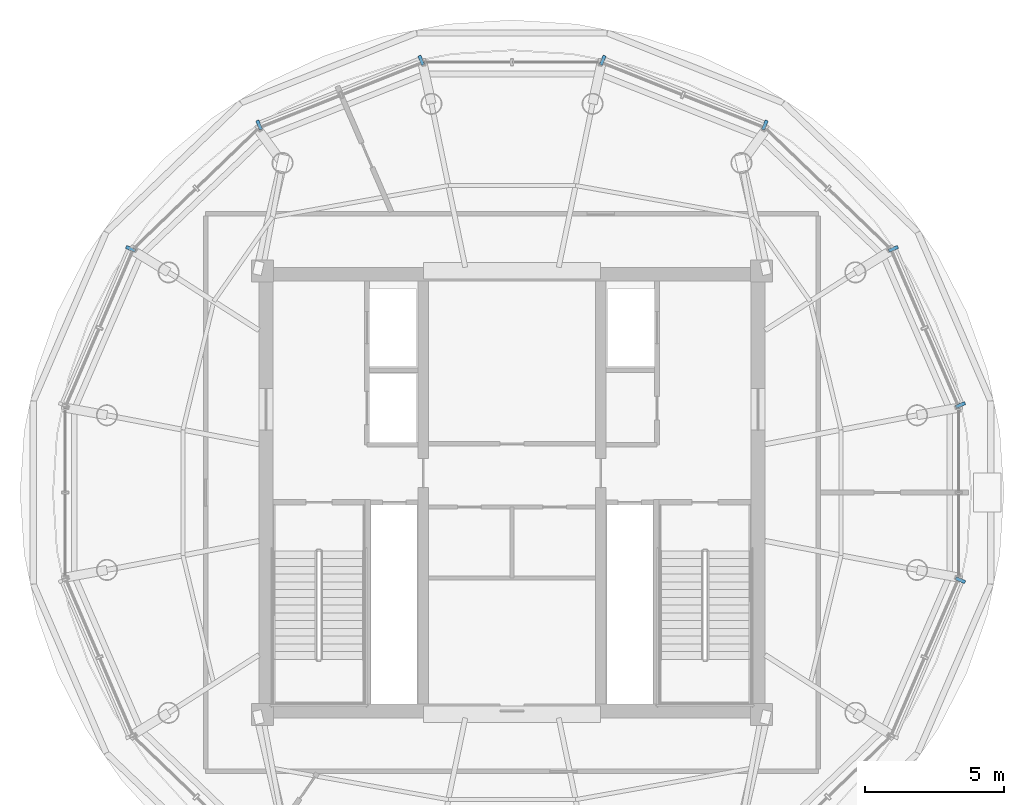
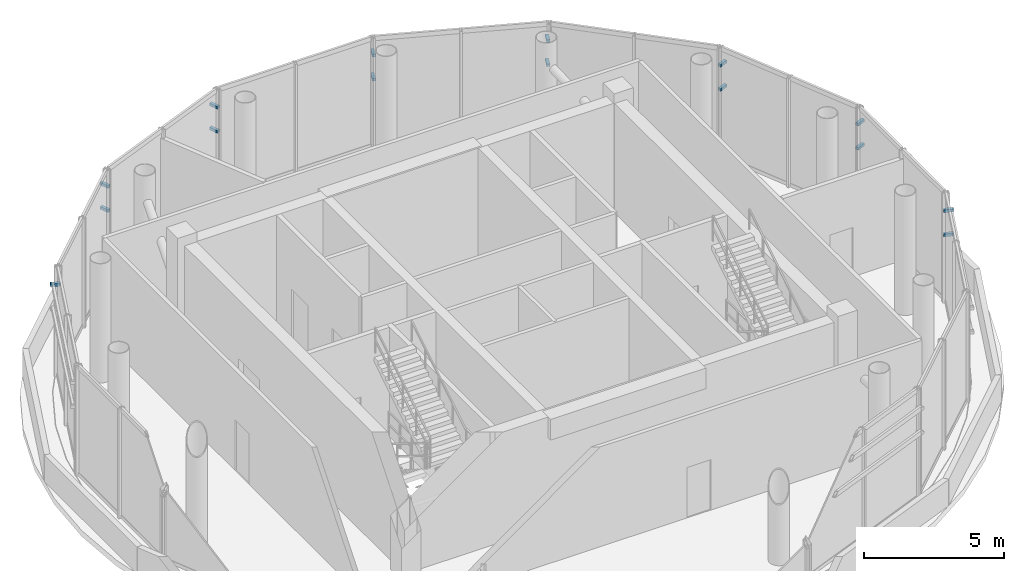
# One storey, part 12 of 14: 15 discrete accessories.
"""IFC4 building model written with IfcOpenShell, lengths in metres."""

from ifc_helpers import new_model, si_unit, direction, frame, origin, origin_2d, place, context, subcontext, project, spatial, rectangle, extrude, source, transform, mapped, material, layer, layer_set, type_object, element, save


model = new_model("IFC4")

# Units and contexts
model_context = context("Model", 3, precision=1e-05, world=origin(), true_north=direction((-0.2419218956, 0.970295726276)))
body_context = subcontext(model_context, "Body", "Model", "MODEL_VIEW")
ifc_project = project(units=[si_unit("LENGTHUNIT", "METRE"), si_unit("AREAUNIT", "SQUARE_METRE"), si_unit("VOLUMEUNIT", "CUBIC_METRE"), si_unit("PLANEANGLEUNIT", "RADIAN"), si_unit("MASSUNIT", "GRAM", prefix="KILO")], contexts=[model_context])

# Site, building, storey
site_placement = place(None, origin())
site = spatial("IfcSite", under=ifc_project, at=site_placement, CompositionType="ELEMENT")
building_placement = place(site_placement, origin())
building = spatial("IfcBuilding", under=site, at=building_placement, Name="Cobrevalo Terracotta Tower", CompositionType="ELEMENT")
storey_placement = place(building_placement, frame((0.0, 0.0, 321.699951171875)))
storey = spatial("IfcBuildingStorey", under=building, at=storey_placement, Name="L83", CompositionType="ELEMENT", Elevation=321.699951171875)

# Discrete accessories
ifc_material = material(Name="Brushed stainless steel", Category="steel")
ifc_layer = layer(ifc_material, 0.1201171875)
ifc_layer_set = layer_set([ifc_layer], Name="Brushed stainless steel")
discrete_accessory_type = type_object("IfcDiscreteAccessoryType", Name="Stainless Steel Facade & Canopy Support Bracket", PredefinedType="BRACKET", material=ifc_layer_set)
shared_shape = source(origin(), body_context, "Body", "SweptSolid", [
    extrude(rectangle(XDim=0.1201171875, YDim=0.360107421875, at=origin_2d()), origin(), (0.0, 0.0, 1.0), 0.1201171875),
])
for number, where, z_axis, x_axis, name in (
    (1, (54.18115234375, 29.960693359375, 2.903564453125), (0.0, 0.0, 1.0), (-0.394960330504, 0.918698175316, 0.0), "CW-CRN-L83-S01 stainless baguette support bracket 1-A"),
    (2, (51.759521484375, 35.593505859375, 2.903564453125), (0.0, 0.0, 1.0), (-0.394960330504, 0.918698175316, 0.0), "CW-CRN-L83-S01 stainless baguette support bracket 1-B"),
    (3, (54.18115234375, 29.960693359375, 3.955078125), (0.0, 0.0, 1.0), (-0.394960330504, 0.918698175316, 0.0), "CW-CRN-L83-S01 stainless baguette support bracket 2-A"),
    (4, (51.759521484375, 35.593505859375, 3.955078125), (0.0, 0.0, 1.0), (-0.394960330504, 0.918698175316, 0.0), "CW-CRN-L83-S01 stainless baguette support bracket 2-B"),
    (5, (47.124267578125, 40.060546875, 2.903564453125), (0.0, 0.0, 1.0), (-0.928768802339, 0.370659563214, 0.0), "CW-CRN-L83-S03 stainless baguette support bracket 1-A"),
    (6, (41.27587890625, 42.39453125, 2.903564453125), (0.0, 0.0, 1.0), (-0.928768802339, 0.370659563214, 0.0), "CW-CRN-L83-S03 stainless baguette support bracket 1-B"),
    (7, (47.124267578125, 40.060546875, 3.955078125), (0.0, 0.0, 1.0), (-0.928768802339, 0.370659563214, 0.0), "CW-CRN-L83-S03 stainless baguette support bracket 2-A"),
    (8, (41.27587890625, 42.39453125, 3.955078125), (0.0, 0.0, 1.0), (-0.928768802339, 0.370659563214, 0.0), "CW-CRN-L83-S03 stainless baguette support bracket 2-B"),
    (9, (34.72412109375, 42.39453125, 2.903564453125), (0.0, 0.0, 1.0), (-0.928768802339, -0.370659563214, 0.0), "CW-CRN-L83-S05 stainless baguette support bracket 1-A"),
    (10, (28.875732421875, 40.060546875, 2.903564453125), (0.0, 0.0, 1.0), (-0.928768802339, -0.370659563214, 0.0), "CW-CRN-L83-S05 stainless baguette support bracket 1-B"),
    (11, (34.72412109375, 42.39453125, 3.955078125), (0.0, 0.0, 1.0), (-0.928768802339, -0.370659563214, 0.0), "CW-CRN-L83-S05 stainless baguette support bracket 2-A"),
    (12, (28.875732421875, 40.060546875, 3.955078125), (0.0, 0.0, 1.0), (-0.928768802339, -0.370659563214, 0.0), "CW-CRN-L83-S05 stainless baguette support bracket 2-B"),
    (13, (24.240478515625, 35.593505859375, 3.955078125), (0.0, 0.0, 1.0), (-0.394960330504, -0.918698175316, 0.0), "CW-CRN-L83-S07 stainless baguette support bracket 2-A"),
    (14, (54.18115234375, 23.639404296875, 2.903564453125), (0.0, 0.0, 1.0), (0.394960330504, 0.918698175316, 0.0), "CW-CRN-L83-S15 stainless baguette support bracket 1-B"),
    (15, (54.18115234375, 23.639404296875, 3.955078125), (0.0, 0.0, 1.0), (0.394960330504, 0.918698175316, 0.0), "CW-CRN-L83-S15 stainless baguette support bracket 2-B"),
):
    element("IfcDiscreteAccessory", number, at=place(storey_placement, frame(where, z_axis=z_axis, x_axis=x_axis)), inside=storey, type_object=discrete_accessory_type, Name=name, PredefinedType="BRACKET", context=body_context, shape_type="MappedRepresentation", body=[
        mapped(shared_shape, transform((0.0, 0.0, 0.0), scale=1.0)),
    ])

save(model, "model.ifc")
